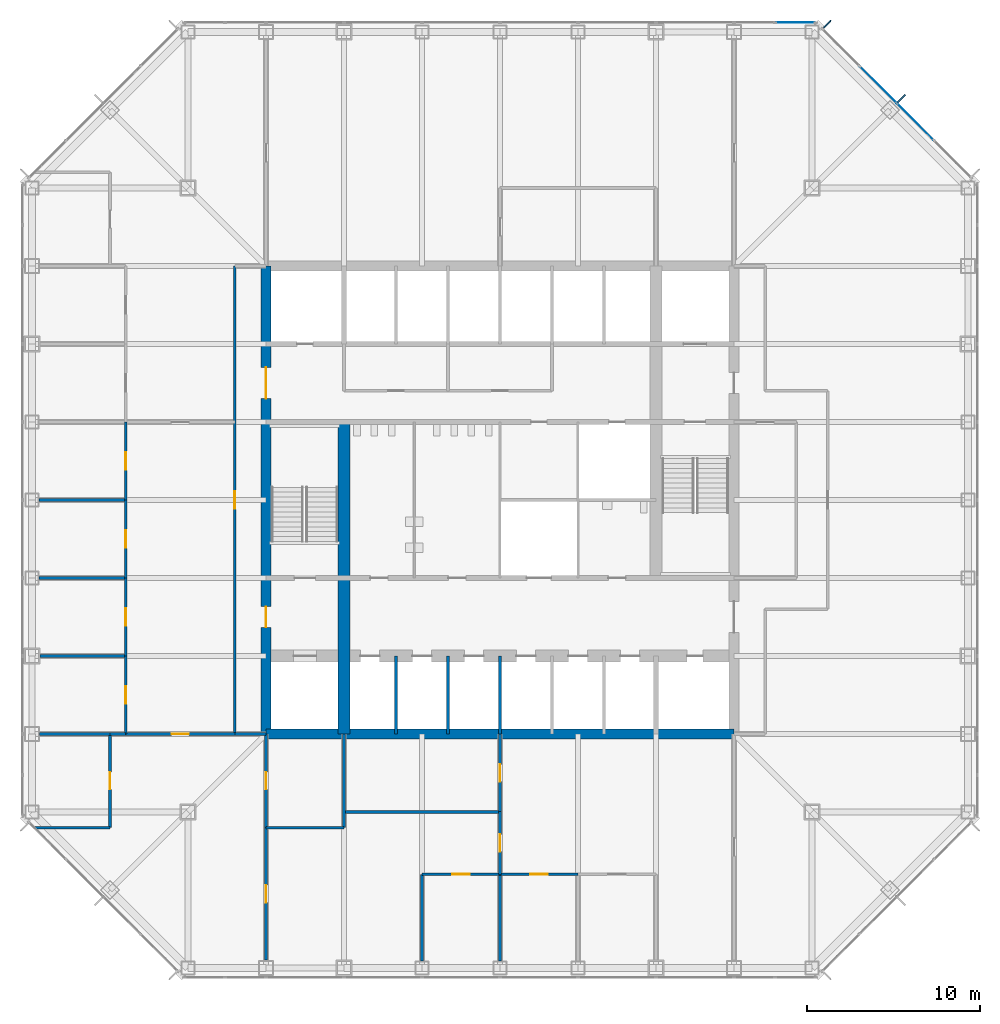
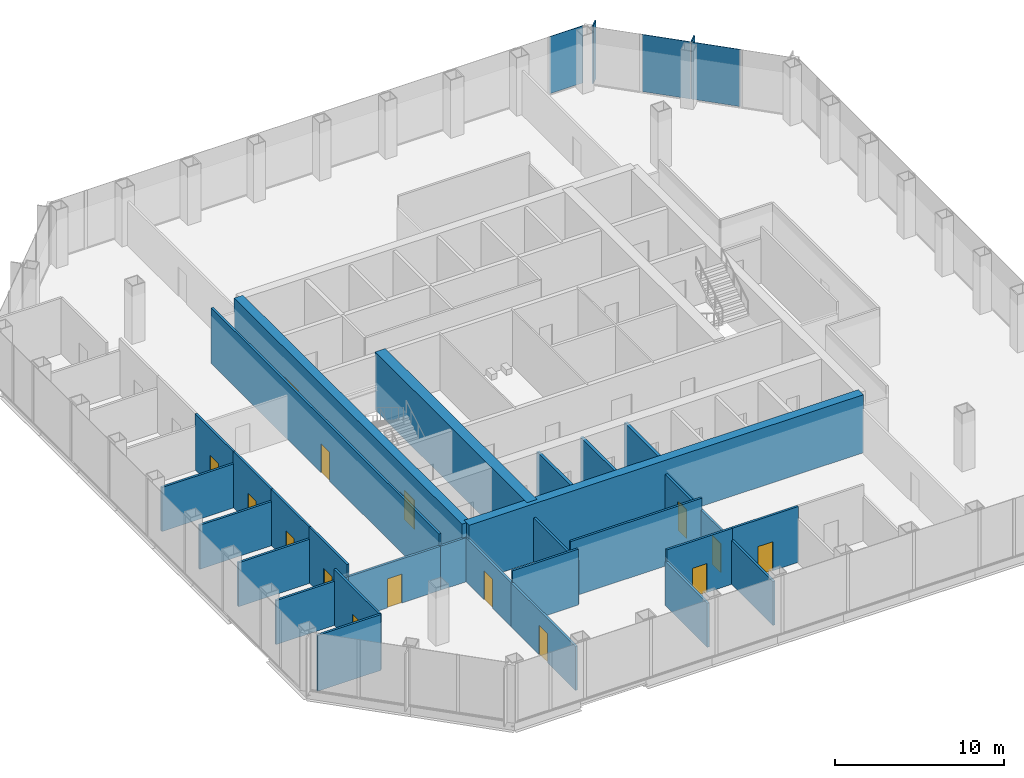
# One storey, part 8 of 13: 31 walls, 15 doors, 5 plates, 15 openings, 2 elements without a shape of their own.
"""IFC4 building model written with IfcOpenShell, lengths in metres."""

from ifc_helpers import new_model, si_unit, direction, frame, frame_2d, origin, origin_2d, place, context, subcontext, project, spatial, rectangle, extrude, material, layer, layer_set, type_object, element, fill, aggregate, save


model = new_model("IFC4")

# Units and contexts
model_context = context("Model", 3, precision=1e-05, world=origin(), true_north=direction((0.0, 1.0)))
body_context = subcontext(model_context, "Body", "Model", "MODEL_VIEW")
ifc_project = project(units=[si_unit("LENGTHUNIT", "METRE"), si_unit("AREAUNIT", "SQUARE_METRE"), si_unit("VOLUMEUNIT", "CUBIC_METRE"), si_unit("PLANEANGLEUNIT", "RADIAN"), si_unit("MASSUNIT", "GRAM", prefix="KILO")], contexts=[model_context])

# Site, building, storey
site_placement = place(None, origin())
site = spatial("IfcSite", under=ifc_project, at=site_placement, CompositionType="ELEMENT")
building_placement = place(site_placement, origin())
building = spatial("IfcBuilding", under=site, at=building_placement, Name="Corais Broadcast Tower", CompositionType="ELEMENT")
storey_placement = place(building_placement, frame((0.0, 0.0, 87.800048828125)))
storey = spatial("IfcBuildingStorey", under=building, at=storey_placement, Name="L19", CompositionType="ELEMENT", Elevation=87.800048828125)

# Curtain wall, plate
ifc_material_1 = material(Name="Aluminium and glass", Category="aluminium")
curtain_wall_type = type_object("IfcCurtainWallType", Name="Unitised fritted curtain wall CW1", PredefinedType="NOTDEFINED", material=ifc_material_1)
curtain_wall_1_placement = place(storey_placement, origin())
curtain_wall_1 = element("IfcCurtainWall", 1, at=curtain_wall_1_placement, inside=storey, type_object=curtain_wall_type, Name="CW1 curtain wall L19 5", PredefinedType="NOTDEFINED")
ifc_material_2 = material(Name="Ceramic-fritted laminated glass", Category="glass")
ifc_layer_1 = layer(ifc_material_2, 0.030029296875)
ifc_layer_set_1 = layer_set([ifc_layer_1], Name="Ceramic-fritted laminated glass")
plate_type_1 = type_object("IfcPlateType", Name="Fritted glass panel CW1", PredefinedType="CURTAIN_PANEL", material=ifc_layer_set_1)
plate_1_placement = place(storey_placement, frame((50.9658203125, 48.81201171875, 0.06494140625), z_axis=(0.0, 0.0, 1.0), x_axis=(0.707106781187, -0.707106781187, 0.0)))
plate_1 = element("IfcPlate", 2, at=plate_1_placement, type_object=plate_type_1, Name="CW1 panel 3", PredefinedType="CURTAIN_PANEL", context=body_context, shape_type="SweptSolid", body=[
    extrude(rectangle(XDim=2.98095703125, YDim=0.030029296875, at=origin_2d()), origin(), (0.0, 0.0, 1.0), 4.135009765625),
])

curtain_wall_2_placement = place(storey_placement, origin())
curtain_wall_2 = element("IfcCurtainWall", 3, at=curtain_wall_2_placement, inside=storey, type_object=curtain_wall_type, Name="CW1 curtain wall L19 4", PredefinedType="NOTDEFINED")
ifc_material_3 = material(Name="Clear laminated glass", Category="glass")
ifc_layer_2 = layer(ifc_material_3, 0.033935546875)
ifc_layer_set_2 = layer_set([ifc_layer_2], Name="Clear laminated glass")
plate_type_2 = type_object("IfcPlateType", Name="Operable glass panel CW1", PredefinedType="CURTAIN_PANEL", material=ifc_layer_set_2)
plate_2_placement = place(storey_placement, frame((44.029541015625, 54.550048828125, 0.06494140625), z_axis=(0.0, 0.0, 1.0), x_axis=(1.0, 0.0, 0.0)))
plate_2 = element("IfcPlate", 4, at=plate_2_placement, type_object=plate_type_2, Name="CW1 operable panel 10", PredefinedType="CURTAIN_PANEL", context=body_context, shape_type="SweptSolid", body=[
    extrude(rectangle(XDim=2.266357421875, YDim=0.033935546875, at=origin_2d()), origin(), (0.0, 0.0, 1.0), 4.135009765625),
])
aggregate(curtain_wall_2, [plate_2])

# Plate
plate_3_placement = place(storey_placement, frame((48.81201171875, 50.9658203125, 0.06494140625), z_axis=(0.0, 0.0, 1.0), x_axis=(0.707106781187, -0.707106781187, 0.0)))
plate_3 = element("IfcPlate", 5, at=plate_3_placement, type_object=plate_type_2, Name="CW1 operable panel 2", PredefinedType="CURTAIN_PANEL", context=body_context, shape_type="SweptSolid", body=[
    extrude(rectangle(XDim=2.98095703125, YDim=0.033935546875, at=origin_2d()), origin(), (0.0, 0.0, 1.0), 4.135009765625),
])

aggregate(curtain_wall_1, [plate_3, plate_1])

# Plates
ifc_material_4 = material(Name="Granite stone cladding", Category="masonry")
ifc_layer_3 = layer(ifc_material_4, 0.080078125)
ifc_layer_set_3 = layer_set([ifc_layer_3], Name="Granite stone cladding")
plate_type_3 = type_object("IfcPlateType", Name="Stone screen fin 80x600", PredefinedType="USERDEFINED", material=ifc_layer_set_3)
for number, where, z_axis, x_axis, name in (
    (6, (45.885009765625, 54.4541015625, 0.0), (0.0, 0.0, 1.0), (0.707106781187, -0.707106781187, 0.0), "SF1 stone screen fin L19"),
    (7, (50.169677734375, 50.169677734375, 0.0), (0.0, 0.0, 1.0), (0.707106781187, -0.707106781187, 0.0), "SF1 stone screen fin L19"),
):
    element("IfcPlate", number, at=place(storey_placement, frame(where, z_axis=z_axis, x_axis=x_axis)), inside=storey, type_object=plate_type_3, Name=name, ObjectType="STONE SCREEN FIN", PredefinedType="USERDEFINED", context=body_context, shape_type="SweptSolid", body=[
        extrude(rectangle(XDim=0.080078125, YDim=0.60009765625, at=origin_2d()), origin(), (0.0, 0.0, 1.0), 4.199951171875),
    ])

# Walls
ifc_material_5 = material(Name="Concrete C50/60", Category="concrete")
ifc_layer_4 = layer(ifc_material_5, 0.699951171875)
ifc_layer_set_4 = layer_set([ifc_layer_4], Name="Concrete C50/60")
wall_type_1 = type_object("IfcWallType", Name="Core spine wall 700", PredefinedType="SHEAR", material=ifc_layer_set_4)
wall_1_placement = place(storey_placement, frame((18.0, 13.5, 0.0), z_axis=(0.0, 0.0, 1.0), x_axis=(0.0, 1.0, 0.0)))
element("IfcWall", 8, at=wall_1_placement, inside=storey, type_object=wall_type_1, Name="CR700 core wall X18A L19", PredefinedType="SHEAR", context=body_context, shape_type="SweptSolid", body=[
    extrude(rectangle(XDim=18.0, YDim=0.699951171875, at=frame_2d((9.0, 0.0))), origin(), (0.0, 0.0, 1.0), 4.199951171875),
])
ifc_material_6 = material(Name="Concrete C50/60", Category="concrete")
ifc_layer_5 = layer(ifc_material_6, 0.60009765625)
ifc_layer_set_5 = layer_set([ifc_layer_5], Name="Concrete C50/60")
wall_type_2 = type_object("IfcWallType", Name="Core wall 600", PredefinedType="SHEAR", material=ifc_layer_set_5)
wall_2_placement = place(storey_placement, frame((13.5, 13.5, 0.0), z_axis=(0.0, 0.0, 1.0), x_axis=(1.0, 0.0, 0.0)))
element("IfcWall", 9, at=wall_2_placement, inside=storey, type_object=wall_type_2, Name="CR600 core wall S L19", PredefinedType="SHEAR", context=body_context, shape_type="SweptSolid", body=[
    extrude(rectangle(XDim=27.0, YDim=0.60009765625, at=frame_2d((13.5, 0.0))), origin(), (0.0, 0.0, 1.0), 4.199951171875),
])

# Wall, openings, doors
wall_3_placement = place(storey_placement, frame((13.5, 40.5, 0.0), z_axis=(0.0, 0.0, 1.0), x_axis=(0.0, -1.0, 0.0)))
wall_3 = element("IfcWall", 10, at=wall_3_placement, inside=storey, type_object=wall_type_2, Name="CR600 core wall W L19", PredefinedType="SHEAR", context=body_context, shape_type="SweptSolid", body=[
    extrude(rectangle(XDim=27.0, YDim=0.60009765625, at=frame_2d((13.5, 0.0))), origin(), (0.0, 0.0, 1.0), 4.199951171875),
])
opening_1_placement = place(wall_3_placement, frame((19.64990234375, 0.0, 0.0)))
opening_1 = element("IfcOpeningElement", 11, at=opening_1_placement, cuts=wall_3, Name="Opening FD1", PredefinedType="OPENING", context=body_context, shape_type="SweptSolid", body=[
    extrude(rectangle(XDim=1.199951171875, YDim=2.10009765625, at=frame_2d((0.60009765625, 1.050048828125))), frame((0.0, 0.31005859375, 0.0), z_axis=(0.0, -1.0, 0.0), x_axis=(1.0, 0.0, 0.0)), (0.0, 0.0, 1.0), 0.6201171875),
])
opening_2_placement = place(wall_3_placement, frame((5.85009765625, 0.0, 0.0)))
opening_2 = element("IfcOpeningElement", 12, at=opening_2_placement, cuts=wall_3, Name="Opening FD2", PredefinedType="OPENING", context=body_context, shape_type="SweptSolid", body=[
    extrude(rectangle(XDim=1.800048828125, YDim=2.10009765625, at=frame_2d((0.89990234375, 1.050048828125))), frame((0.0, 0.31005859375, 0.0), z_axis=(0.0, -1.0, 0.0), x_axis=(1.0, 0.0, 0.0)), (0.0, 0.0, 1.0), 0.6201171875),
])
ifc_material_7 = material(Name="Steel fire door", Category="steel")
door_type_1 = type_object("IfcDoorType", Name="Fire door 1200x2100", OperationType="SINGLE_SWING_LEFT", PredefinedType="DOOR", material=ifc_material_7)
door_1_placement = place(opening_1_placement, origin())
door_1 = element("IfcDoor", 13, at=door_1_placement, inside=storey, type_object=door_type_1, Name="FD1 fire lobby A door L19", OperationType="SINGLE_SWING_RIGHT", OverallHeight=2.10009765625, OverallWidth=1.199951171875, PredefinedType="DOOR", context=body_context, shape_type="SweptSolid", body=[
    extrude(rectangle(XDim=1.199951171875, YDim=2.10009765625, at=frame_2d((0.60009765625, 1.050048828125))), frame((0.0, 0.02490234375, 0.0), z_axis=(0.0, -1.0, 0.0), x_axis=(1.0, 0.0, 0.0)), (0.0, 0.0, 1.0), 0.050048828125),
])
fill(opening_1, door_1)
ifc_material_8 = material(Name="Steel fire door", Category="steel")
door_type_2 = type_object("IfcDoorType", Name="Fire door pair 1800x2100", OperationType="DOUBLE_DOOR_SINGLE_SWING", PredefinedType="DOOR", material=ifc_material_8)
door_2_placement = place(opening_2_placement, origin())
door_2 = element("IfcDoor", 14, at=door_2_placement, inside=storey, type_object=door_type_2, Name="FD2 lift lobby door L19", OperationType="SINGLE_SWING_LEFT", OverallHeight=2.10009765625, OverallWidth=1.800048828125, PredefinedType="DOOR", context=body_context, shape_type="SweptSolid", body=[
    extrude(rectangle(XDim=1.800048828125, YDim=2.10009765625, at=frame_2d((0.89990234375, 1.050048828125))), frame((0.0, 0.02490234375, 0.0), z_axis=(0.0, -1.0, 0.0), x_axis=(1.0, 0.0, 0.0)), (0.0, 0.0, 1.0), 0.050048828125),
])
fill(opening_2, door_2)

# Wall, opening, door
ifc_material_9 = material(Name="Gypsum board on steel studs", Category="steel")
ifc_layer_6 = layer(ifc_material_9, 0.14990234375)
ifc_layer_set_6 = layer_set([ifc_layer_6], Name="Gypsum board on steel studs")
wall_type_3 = type_object("IfcWallType", Name="Partition 150", PredefinedType="PARTITIONING", material=ifc_layer_set_6)
wall_4_placement = place(storey_placement, frame((11.699951171875, 40.5, 0.0), z_axis=(0.0, 0.0, 1.0), x_axis=(0.0, -1.0, 0.0)))
wall_4 = element("IfcWall", 15, at=wall_4_placement, inside=storey, type_object=wall_type_3, Name="IW3 corridor wall L19", PredefinedType="PARTITIONING", context=body_context, shape_type="SweptSolid", body=[
    extrude(rectangle(XDim=27.0, YDim=0.14990234375, at=frame_2d((13.5, 0.0))), origin(), (0.0, 0.0, 1.0), 4.0400390625),
])
opening_3_placement = place(wall_4_placement, frame((13.0, 0.0, 0.0)))
opening_3 = element("IfcOpeningElement", 16, at=opening_3_placement, cuts=wall_4, Name="Opening D1", PredefinedType="OPENING", context=body_context, shape_type="SweptSolid", body=[
    extrude(rectangle(XDim=1.0, YDim=2.10009765625, at=frame_2d((0.5, 1.050048828125))), frame((0.0, 0.0849609375, 0.0), z_axis=(0.0, -1.0, 0.0), x_axis=(1.0, 0.0, 0.0)), (0.0, 0.0, 1.0), 0.169921875),
])
ifc_material_10 = material(Name="Timber door", Category="wood")
door_type_3 = type_object("IfcDoorType", Name="Single door 1000x2100", OperationType="SINGLE_SWING_LEFT", PredefinedType="DOOR", material=ifc_material_10)
door_3_placement = place(opening_3_placement, origin())
door_3 = element("IfcDoor", 17, at=door_3_placement, inside=storey, type_object=door_type_3, Name="D1 workplace door L19", OperationType="SINGLE_SWING_LEFT", OverallHeight=2.10009765625, OverallWidth=1.0, PredefinedType="DOOR", context=body_context, shape_type="SweptSolid", body=[
    extrude(rectangle(XDim=1.0, YDim=2.10009765625, at=frame_2d((0.5, 1.050048828125))), frame((0.0, 0.02490234375, 0.0), z_axis=(0.0, -1.0, 0.0), x_axis=(1.0, 0.0, 0.0)), (0.0, 0.0, 1.0), 0.050048828125),
])
fill(opening_3, door_3)

# Walls
wall_5_placement = place(storey_placement, frame((11.699951171875, 13.5, 0.0), z_axis=(0.0, 0.0, 1.0), x_axis=(1.0, 0.0, 0.0)))
element("IfcWall", 18, at=wall_5_placement, inside=storey, type_object=wall_type_3, Name="IW3 corridor wall L19", PredefinedType="PARTITIONING", context=body_context, shape_type="SweptSolid", body=[
    extrude(rectangle(XDim=1.800048828125, YDim=0.14990234375, at=frame_2d((0.89990234375, 0.0))), origin(), (0.0, 0.0, 1.0), 3.18896484375),
])
wall_6_placement = place(storey_placement, frame((0.16455078125, 8.10009765625, 0.0), z_axis=(0.0, 0.0, 1.0), x_axis=(1.0, 0.0, 0.0)))
element("IfcWall", 19, at=wall_6_placement, inside=storey, type_object=wall_type_3, Name="IW3 partition L19", PredefinedType="PARTITIONING", context=body_context, shape_type="SweptSolid", body=[
    extrude(rectangle(XDim=4.33544921875, YDim=0.14990234375, at=frame_2d((2.167724609375, 0.0))), origin(), (0.0, 0.0, 1.0), 4.0400390625),
])

# Wall, opening, door
wall_7_placement = place(storey_placement, frame((4.5, 8.10009765625, 0.0), z_axis=(0.0, 0.0, 1.0), x_axis=(0.0, 1.0, 0.0)))
wall_7 = element("IfcWall", 20, at=wall_7_placement, inside=storey, type_object=wall_type_3, Name="IW3 partition L19", PredefinedType="PARTITIONING", context=body_context, shape_type="SweptSolid", body=[
    extrude(rectangle(XDim=5.39990234375, YDim=0.14990234375, at=frame_2d((2.699951171875, 0.0))), origin(), (0.0, 0.0, 1.0), 4.0400390625),
])
opening_4_placement = place(wall_7_placement, frame((2.199951171875, 0.0, 0.0)))
opening_4 = element("IfcOpeningElement", 21, at=opening_4_placement, cuts=wall_7, Name="Opening D1", PredefinedType="OPENING", context=body_context, shape_type="SweptSolid", body=[
    extrude(rectangle(XDim=1.0, YDim=2.10009765625, at=frame_2d((0.5, 1.050048828125))), frame((0.0, 0.0849609375, 0.0), z_axis=(0.0, -1.0, 0.0), x_axis=(1.0, 0.0, 0.0)), (0.0, 0.0, 1.0), 0.169921875),
])
door_4_placement = place(opening_4_placement, origin())
door_4 = element("IfcDoor", 22, at=door_4_placement, inside=storey, type_object=door_type_3, Name="D1 Office door", OperationType="SINGLE_SWING_LEFT", OverallHeight=2.10009765625, OverallWidth=1.0, PredefinedType="DOOR", context=body_context, shape_type="SweptSolid", body=[
    extrude(rectangle(XDim=1.0, YDim=2.10009765625, at=frame_2d((0.5, 1.050048828125))), frame((0.0, 0.02490234375, 0.0), z_axis=(0.0, -1.0, 0.0), x_axis=(1.0, 0.0, 0.0)), (0.0, 0.0, 1.0), 0.050048828125),
])
fill(opening_4, door_4)

# Walls
wall_8_placement = place(storey_placement, frame((4.5, 13.5, 0.0), z_axis=(0.0, 0.0, 1.0), x_axis=(-1.0, 0.0, 0.0)))
element("IfcWall", 23, at=wall_8_placement, inside=storey, type_object=wall_type_3, Name="IW3 partition L19", PredefinedType="PARTITIONING", context=body_context, shape_type="SweptSolid", body=[
    extrude(rectangle(XDim=4.06494140625, YDim=0.14990234375, at=frame_2d((2.032470703125, 0.0))), origin(), (0.0, 0.0, 1.0), 3.18896484375),
])
wall_9_placement = place(storey_placement, frame((4.5, 13.5, 0.0), z_axis=(0.0, 0.0, 1.0), x_axis=(1.0, 0.0, 0.0)))
element("IfcWall", 24, at=wall_9_placement, inside=storey, type_object=wall_type_3, Name="IW3 partition L19", PredefinedType="PARTITIONING", context=body_context, shape_type="SweptSolid", body=[
    extrude(rectangle(XDim=0.89990234375, YDim=0.14990234375, at=frame_2d((0.449951171875, 0.0))), origin(), (0.0, 0.0, 1.0), 3.18896484375),
])

# Wall, opening, door
wall_10_placement = place(storey_placement, frame((5.39990234375, 13.5, 0.0), z_axis=(0.0, 0.0, 1.0), x_axis=(0.0, 1.0, 0.0)))
wall_10 = element("IfcWall", 25, at=wall_10_placement, inside=storey, type_object=wall_type_3, Name="IW3 partition L19", PredefinedType="PARTITIONING", context=body_context, shape_type="SweptSolid", body=[
    extrude(rectangle(XDim=4.5, YDim=0.14990234375, at=frame_2d((2.25, 0.0))), origin(), (0.0, 0.0, 1.0), 4.0400390625),
])
opening_5_placement = place(wall_10_placement, frame((1.75, 0.0, 0.0)))
opening_5 = element("IfcOpeningElement", 26, at=opening_5_placement, cuts=wall_10, Name="Opening D1", PredefinedType="OPENING", context=body_context, shape_type="SweptSolid", body=[
    extrude(rectangle(XDim=1.0, YDim=2.10009765625, at=frame_2d((0.5, 1.050048828125))), frame((0.0, 0.0849609375, 0.0), z_axis=(0.0, -1.0, 0.0), x_axis=(1.0, 0.0, 0.0)), (0.0, 0.0, 1.0), 0.169921875),
])
door_5_placement = place(opening_5_placement, origin())
door_5 = element("IfcDoor", 27, at=door_5_placement, inside=storey, type_object=door_type_3, Name="D1 Office door", OperationType="SINGLE_SWING_LEFT", OverallHeight=2.10009765625, OverallWidth=1.0, PredefinedType="DOOR", context=body_context, shape_type="SweptSolid", body=[
    extrude(rectangle(XDim=1.0, YDim=2.10009765625, at=frame_2d((0.5, 1.050048828125))), frame((0.0, 0.02490234375, 0.0), z_axis=(0.0, -1.0, 0.0), x_axis=(1.0, 0.0, 0.0)), (0.0, 0.0, 1.0), 0.050048828125),
])
fill(opening_5, door_5)

# Wall
wall_11_placement = place(storey_placement, frame((5.39990234375, 18.0, 0.0), z_axis=(0.0, 0.0, 1.0), x_axis=(-1.0, 0.0, 0.0)))
element("IfcWall", 28, at=wall_11_placement, inside=storey, type_object=wall_type_3, Name="IW3 partition L19", PredefinedType="PARTITIONING", context=body_context, shape_type="SweptSolid", body=[
    extrude(rectangle(XDim=4.93994140625, YDim=0.14990234375, at=frame_2d((2.469970703125, 0.0))), origin(), (0.0, 0.0, 1.0), 3.18896484375),
])

# Wall, opening, door
wall_12_placement = place(storey_placement, frame((5.39990234375, 18.0, 0.0), z_axis=(0.0, 0.0, 1.0), x_axis=(0.0, 1.0, 0.0)))
wall_12 = element("IfcWall", 29, at=wall_12_placement, inside=storey, type_object=wall_type_3, Name="IW3 partition L19", PredefinedType="PARTITIONING", context=body_context, shape_type="SweptSolid", body=[
    extrude(rectangle(XDim=4.5, YDim=0.14990234375, at=frame_2d((2.25, 0.0))), origin(), (0.0, 0.0, 1.0), 4.0400390625),
])
opening_6_placement = place(wall_12_placement, frame((1.75, 0.0, 0.0)))
opening_6 = element("IfcOpeningElement", 30, at=opening_6_placement, cuts=wall_12, Name="Opening D1", PredefinedType="OPENING", context=body_context, shape_type="SweptSolid", body=[
    extrude(rectangle(XDim=1.0, YDim=2.10009765625, at=frame_2d((0.5, 1.050048828125))), frame((0.0, 0.0849609375, 0.0), z_axis=(0.0, -1.0, 0.0), x_axis=(1.0, 0.0, 0.0)), (0.0, 0.0, 1.0), 0.169921875),
])
door_6_placement = place(opening_6_placement, origin())
door_6 = element("IfcDoor", 31, at=door_6_placement, inside=storey, type_object=door_type_3, Name="D1 Office door", OperationType="SINGLE_SWING_LEFT", OverallHeight=2.10009765625, OverallWidth=1.0, PredefinedType="DOOR", context=body_context, shape_type="SweptSolid", body=[
    extrude(rectangle(XDim=1.0, YDim=2.10009765625, at=frame_2d((0.5, 1.050048828125))), frame((0.0, 0.02490234375, 0.0), z_axis=(0.0, -1.0, 0.0), x_axis=(1.0, 0.0, 0.0)), (0.0, 0.0, 1.0), 0.050048828125),
])
fill(opening_6, door_6)

# Wall
wall_13_placement = place(storey_placement, frame((5.39990234375, 22.5, 0.0), z_axis=(0.0, 0.0, 1.0), x_axis=(-1.0, 0.0, 0.0)))
element("IfcWall", 32, at=wall_13_placement, inside=storey, type_object=wall_type_3, Name="IW3 partition L19", PredefinedType="PARTITIONING", context=body_context, shape_type="SweptSolid", body=[
    extrude(rectangle(XDim=4.989990234375, YDim=0.14990234375, at=frame_2d((2.4951171875, 0.0))), origin(), (0.0, 0.0, 1.0), 3.18896484375),
])

# Wall, opening, door
wall_14_placement = place(storey_placement, frame((5.39990234375, 22.5, 0.0), z_axis=(0.0, 0.0, 1.0), x_axis=(0.0, 1.0, 0.0)))
wall_14 = element("IfcWall", 33, at=wall_14_placement, inside=storey, type_object=wall_type_3, Name="IW3 partition L19", PredefinedType="PARTITIONING", context=body_context, shape_type="SweptSolid", body=[
    extrude(rectangle(XDim=4.5, YDim=0.14990234375, at=frame_2d((2.25, 0.0))), origin(), (0.0, 0.0, 1.0), 4.0400390625),
])
opening_7_placement = place(wall_14_placement, frame((1.75, 0.0, 0.0)))
opening_7 = element("IfcOpeningElement", 34, at=opening_7_placement, cuts=wall_14, Name="Opening D1", PredefinedType="OPENING", context=body_context, shape_type="SweptSolid", body=[
    extrude(rectangle(XDim=1.0, YDim=2.10009765625, at=frame_2d((0.5, 1.050048828125))), frame((0.0, 0.0849609375, 0.0), z_axis=(0.0, -1.0, 0.0), x_axis=(1.0, 0.0, 0.0)), (0.0, 0.0, 1.0), 0.169921875),
])
door_7_placement = place(opening_7_placement, origin())
door_7 = element("IfcDoor", 35, at=door_7_placement, inside=storey, type_object=door_type_3, Name="D1 Office door", OperationType="SINGLE_SWING_LEFT", OverallHeight=2.10009765625, OverallWidth=1.0, PredefinedType="DOOR", context=body_context, shape_type="SweptSolid", body=[
    extrude(rectangle(XDim=1.0, YDim=2.10009765625, at=frame_2d((0.5, 1.050048828125))), frame((0.0, 0.02490234375, 0.0), z_axis=(0.0, -1.0, 0.0), x_axis=(1.0, 0.0, 0.0)), (0.0, 0.0, 1.0), 0.050048828125),
])
fill(opening_7, door_7)

# Wall
wall_15_placement = place(storey_placement, frame((5.39990234375, 27.0, 0.0), z_axis=(0.0, 0.0, 1.0), x_axis=(-1.0, 0.0, 0.0)))
element("IfcWall", 36, at=wall_15_placement, inside=storey, type_object=wall_type_3, Name="IW3 partition L19", PredefinedType="PARTITIONING", context=body_context, shape_type="SweptSolid", body=[
    extrude(rectangle(XDim=4.989990234375, YDim=0.14990234375, at=frame_2d((2.4951171875, 0.0))), origin(), (0.0, 0.0, 1.0), 3.18896484375),
])

# Wall, opening, door
wall_16_placement = place(storey_placement, frame((5.39990234375, 27.0, 0.0), z_axis=(0.0, 0.0, 1.0), x_axis=(0.0, 1.0, 0.0)))
wall_16 = element("IfcWall", 37, at=wall_16_placement, inside=storey, type_object=wall_type_3, Name="IW3 partition L19", PredefinedType="PARTITIONING", context=body_context, shape_type="SweptSolid", body=[
    extrude(rectangle(XDim=4.5, YDim=0.14990234375, at=frame_2d((2.25, 0.0))), origin(), (0.0, 0.0, 1.0), 4.0400390625),
])
opening_8_placement = place(wall_16_placement, frame((1.75, 0.0, 0.0)))
opening_8 = element("IfcOpeningElement", 38, at=opening_8_placement, cuts=wall_16, Name="Opening D1", PredefinedType="OPENING", context=body_context, shape_type="SweptSolid", body=[
    extrude(rectangle(XDim=1.0, YDim=2.10009765625, at=frame_2d((0.5, 1.050048828125))), frame((0.0, 0.0849609375, 0.0), z_axis=(0.0, -1.0, 0.0), x_axis=(1.0, 0.0, 0.0)), (0.0, 0.0, 1.0), 0.169921875),
])
door_8_placement = place(opening_8_placement, origin())
door_8 = element("IfcDoor", 39, at=door_8_placement, inside=storey, type_object=door_type_3, Name="D1 Office door", OperationType="SINGLE_SWING_LEFT", OverallHeight=2.10009765625, OverallWidth=1.0, PredefinedType="DOOR", context=body_context, shape_type="SweptSolid", body=[
    extrude(rectangle(XDim=1.0, YDim=2.10009765625, at=frame_2d((0.5, 1.050048828125))), frame((0.0, 0.02490234375, 0.0), z_axis=(0.0, -1.0, 0.0), x_axis=(1.0, 0.0, 0.0)), (0.0, 0.0, 1.0), 0.050048828125),
])
fill(opening_8, door_8)

# Wall
wall_17_placement = place(storey_placement, frame((27.0, 0.409912109375, 0.0), z_axis=(0.0, 0.0, 1.0), x_axis=(0.0, 1.0, 0.0)))
element("IfcWall", 40, at=wall_17_placement, inside=storey, type_object=wall_type_3, Name="IW3 partition L19", PredefinedType="PARTITIONING", context=body_context, shape_type="SweptSolid", body=[
    extrude(rectangle(XDim=4.989990234375, YDim=0.14990234375, at=frame_2d((2.4951171875, 0.0))), origin(), (0.0, 0.0, 1.0), 3.18896484375),
])

# Wall, opening, door
wall_18_placement = place(storey_placement, frame((27.0, 5.39990234375, 0.0), z_axis=(0.0, 0.0, 1.0), x_axis=(-1.0, 0.0, 0.0)))
wall_18 = element("IfcWall", 41, at=wall_18_placement, inside=storey, type_object=wall_type_3, Name="IW3 partition L19", PredefinedType="PARTITIONING", context=body_context, shape_type="SweptSolid", body=[
    extrude(rectangle(XDim=4.5, YDim=0.14990234375, at=frame_2d((2.25, 0.0))), origin(), (0.0, 0.0, 1.0), 4.0400390625),
])
opening_9_placement = place(wall_18_placement, frame((1.75, 0.0, 0.0)))
opening_9 = element("IfcOpeningElement", 42, at=opening_9_placement, cuts=wall_18, Name="Opening D1", PredefinedType="OPENING", context=body_context, shape_type="SweptSolid", body=[
    extrude(rectangle(XDim=1.0, YDim=2.10009765625, at=frame_2d((0.5, 1.050048828125))), frame((0.0, 0.0849609375, 0.0), z_axis=(0.0, -1.0, 0.0), x_axis=(1.0, 0.0, 0.0)), (0.0, 0.0, 1.0), 0.169921875),
])
door_9_placement = place(opening_9_placement, origin())
door_9 = element("IfcDoor", 43, at=door_9_placement, inside=storey, type_object=door_type_3, Name="D1 Interview room door", OperationType="SINGLE_SWING_LEFT", OverallHeight=2.10009765625, OverallWidth=1.0, PredefinedType="DOOR", context=body_context, shape_type="SweptSolid", body=[
    extrude(rectangle(XDim=1.0, YDim=2.10009765625, at=frame_2d((0.5, 1.050048828125))), frame((0.0, 0.02490234375, 0.0), z_axis=(0.0, -1.0, 0.0), x_axis=(1.0, 0.0, 0.0)), (0.0, 0.0, 1.0), 0.050048828125),
])
fill(opening_9, door_9)

# Wall
wall_19_placement = place(storey_placement, frame((22.5, 5.39990234375, 0.0), z_axis=(0.0, 0.0, 1.0), x_axis=(0.0, -1.0, 0.0)))
element("IfcWall", 44, at=wall_19_placement, inside=storey, type_object=wall_type_3, Name="IW3 partition L19", PredefinedType="PARTITIONING", context=body_context, shape_type="SweptSolid", body=[
    extrude(rectangle(XDim=4.989990234375, YDim=0.14990234375, at=frame_2d((2.4951171875, 0.0))), origin(), (0.0, 0.0, 1.0), 3.18896484375),
])

# Wall, opening, door
wall_20_placement = place(storey_placement, frame((31.5, 5.39990234375, 0.0), z_axis=(0.0, 0.0, 1.0), x_axis=(-1.0, 0.0, 0.0)))
wall_20 = element("IfcWall", 45, at=wall_20_placement, inside=storey, type_object=wall_type_3, Name="IW3 partition L19", PredefinedType="PARTITIONING", context=body_context, shape_type="SweptSolid", body=[
    extrude(rectangle(XDim=4.5, YDim=0.14990234375, at=frame_2d((2.25, 0.0))), origin(), (0.0, 0.0, 1.0), 4.0400390625),
])
opening_10_placement = place(wall_20_placement, frame((1.75, 0.0, 0.0)))
opening_10 = element("IfcOpeningElement", 46, at=opening_10_placement, cuts=wall_20, Name="Opening D1", PredefinedType="OPENING", context=body_context, shape_type="SweptSolid", body=[
    extrude(rectangle(XDim=1.0, YDim=2.10009765625, at=frame_2d((0.5, 1.050048828125))), frame((0.0, 0.0849609375, 0.0), z_axis=(0.0, -1.0, 0.0), x_axis=(1.0, 0.0, 0.0)), (0.0, 0.0, 1.0), 0.169921875),
])
door_10_placement = place(opening_10_placement, origin())
door_10 = element("IfcDoor", 47, at=door_10_placement, inside=storey, type_object=door_type_3, Name="D1 Interview room door", OperationType="SINGLE_SWING_LEFT", OverallHeight=2.10009765625, OverallWidth=1.0, PredefinedType="DOOR", context=body_context, shape_type="SweptSolid", body=[
    extrude(rectangle(XDim=1.0, YDim=2.10009765625, at=frame_2d((0.5, 1.050048828125))), frame((0.0, 0.02490234375, 0.0), z_axis=(0.0, -1.0, 0.0), x_axis=(1.0, 0.0, 0.0)), (0.0, 0.0, 1.0), 0.050048828125),
])
fill(opening_10, door_10)

# Walls
wall_21_placement = place(storey_placement, frame((13.5, 8.10009765625, 0.0), z_axis=(0.0, 0.0, 1.0), x_axis=(1.0, 0.0, 0.0)))
element("IfcWall", 48, at=wall_21_placement, inside=storey, type_object=wall_type_3, Name="IW3 partition L19", PredefinedType="PARTITIONING", context=body_context, shape_type="SweptSolid", body=[
    extrude(rectangle(XDim=4.5, YDim=0.14990234375, at=frame_2d((2.25, 0.0))), origin(), (0.0, 0.0, 1.0), 4.0400390625),
])
wall_22_placement = place(storey_placement, frame((18.0, 8.10009765625, 0.0), z_axis=(0.0, 0.0, 1.0), x_axis=(0.0, 1.0, 0.0)))
element("IfcWall", 49, at=wall_22_placement, inside=storey, type_object=wall_type_3, Name="IW3 partition L19", PredefinedType="PARTITIONING", context=body_context, shape_type="SweptSolid", body=[
    extrude(rectangle(XDim=5.39990234375, YDim=0.14990234375, at=frame_2d((2.699951171875, 0.0))), origin(), (0.0, 0.0, 1.0), 3.18896484375),
])

# Wall, opening, door
wall_23_placement = place(storey_placement, frame((13.5, 13.5, 0.0), z_axis=(0.0, 0.0, 1.0), x_axis=(0.0, -1.0, 0.0)))
wall_23 = element("IfcWall", 50, at=wall_23_placement, inside=storey, type_object=wall_type_3, Name="IW3 partition L19", PredefinedType="PARTITIONING", context=body_context, shape_type="SweptSolid", body=[
    extrude(rectangle(XDim=5.39990234375, YDim=0.14990234375, at=frame_2d((2.699951171875, 0.0))), origin(), (0.0, 0.0, 1.0), 3.18896484375),
])
opening_11_placement = place(wall_23_placement, frame((2.199951171875, 0.0, 0.0)))
opening_11 = element("IfcOpeningElement", 51, at=opening_11_placement, cuts=wall_23, Name="Opening D1", PredefinedType="OPENING", context=body_context, shape_type="SweptSolid", body=[
    extrude(rectangle(XDim=1.0, YDim=2.10009765625, at=frame_2d((0.5, 1.050048828125))), frame((0.0, 0.0849609375, 0.0), z_axis=(0.0, -1.0, 0.0), x_axis=(1.0, 0.0, 0.0)), (0.0, 0.0, 1.0), 0.169921875),
])
door_11_placement = place(opening_11_placement, origin())
door_11 = element("IfcDoor", 52, at=door_11_placement, inside=storey, type_object=door_type_3, Name="D1 Meeting room door", OperationType="SINGLE_SWING_LEFT", OverallHeight=2.10009765625, OverallWidth=1.0, PredefinedType="DOOR", context=body_context, shape_type="SweptSolid", body=[
    extrude(rectangle(XDim=1.0, YDim=2.10009765625, at=frame_2d((0.5, 1.050048828125))), frame((0.0, 0.02490234375, 0.0), z_axis=(0.0, -1.0, 0.0), x_axis=(1.0, 0.0, 0.0)), (0.0, 0.0, 1.0), 0.050048828125),
])
fill(opening_11, door_11)

# Wall
wall_24_placement = place(storey_placement, frame((18.0, 9.0, 0.0), z_axis=(0.0, 0.0, 1.0), x_axis=(1.0, 0.0, 0.0)))
element("IfcWall", 53, at=wall_24_placement, inside=storey, type_object=wall_type_3, Name="IW3 partition L19", PredefinedType="PARTITIONING", context=body_context, shape_type="SweptSolid", body=[
    extrude(rectangle(XDim=9.0, YDim=0.14990234375, at=frame_2d((4.5, 0.0))), origin(), (0.0, 0.0, 1.0), 4.0400390625),
])

# Wall, opening, door
wall_25_placement = place(storey_placement, frame((27.0, 9.0, 0.0), z_axis=(0.0, 0.0, 1.0), x_axis=(0.0, 1.0, 0.0)))
wall_25 = element("IfcWall", 54, at=wall_25_placement, inside=storey, type_object=wall_type_3, Name="IW3 partition L19", PredefinedType="PARTITIONING", context=body_context, shape_type="SweptSolid", body=[
    extrude(rectangle(XDim=4.5, YDim=0.14990234375, at=frame_2d((2.25, 0.0))), origin(), (0.0, 0.0, 1.0), 3.18896484375),
])
opening_12_placement = place(wall_25_placement, frame((1.75, 0.0, 0.0)))
opening_12 = element("IfcOpeningElement", 55, at=opening_12_placement, cuts=wall_25, Name="Opening D1", PredefinedType="OPENING", context=body_context, shape_type="SweptSolid", body=[
    extrude(rectangle(XDim=1.0, YDim=2.10009765625, at=frame_2d((0.5, 1.050048828125))), frame((0.0, 0.0849609375, 0.0), z_axis=(0.0, -1.0, 0.0), x_axis=(1.0, 0.0, 0.0)), (0.0, 0.0, 1.0), 0.169921875),
])
door_12_placement = place(opening_12_placement, origin())
door_12 = element("IfcDoor", 56, at=door_12_placement, inside=storey, type_object=door_type_3, Name="D1 Legal reading room door", OperationType="SINGLE_SWING_LEFT", OverallHeight=2.10009765625, OverallWidth=1.0, PredefinedType="DOOR", context=body_context, shape_type="SweptSolid", body=[
    extrude(rectangle(XDim=1.0, YDim=2.10009765625, at=frame_2d((0.5, 1.050048828125))), frame((0.0, 0.02490234375, 0.0), z_axis=(0.0, -1.0, 0.0), x_axis=(1.0, 0.0, 0.0)), (0.0, 0.0, 1.0), 0.050048828125),
])
fill(opening_12, door_12)

wall_26_placement = place(storey_placement, frame((27.0, 5.39990234375, 0.0), z_axis=(0.0, 0.0, 1.0), x_axis=(0.0, 1.0, 0.0)))
wall_26 = element("IfcWall", 57, at=wall_26_placement, inside=storey, type_object=wall_type_3, Name="IW3 partition L19", PredefinedType="PARTITIONING", context=body_context, shape_type="SweptSolid", body=[
    extrude(rectangle(XDim=3.6201171875, YDim=0.14990234375, at=frame_2d((1.81005859375, 0.0))), origin(), (0.0, 0.0, 1.0), 3.18896484375),
])
opening_13_placement = place(wall_26_placement, frame((1.31005859375, 0.0, 0.0)))
opening_13 = element("IfcOpeningElement", 58, at=opening_13_placement, cuts=wall_26, Name="Opening D1", PredefinedType="OPENING", context=body_context, shape_type="SweptSolid", body=[
    extrude(rectangle(XDim=1.0, YDim=2.10009765625, at=frame_2d((0.5, 1.050048828125))), frame((0.0, 0.0849609375, 0.0), z_axis=(0.0, -1.0, 0.0), x_axis=(1.0, 0.0, 0.0)), (0.0, 0.0, 1.0), 0.169921875),
])
door_13_placement = place(opening_13_placement, origin())
door_13 = element("IfcDoor", 59, at=door_13_placement, inside=storey, type_object=door_type_3, Name="D1 team room door L19", OperationType="SINGLE_SWING_LEFT", OverallHeight=2.10009765625, OverallWidth=1.0, PredefinedType="DOOR", context=body_context, shape_type="SweptSolid", body=[
    extrude(rectangle(XDim=1.0, YDim=2.10009765625, at=frame_2d((0.5, 1.050048828125))), frame((0.0, 0.02490234375, 0.0), z_axis=(0.0, -1.0, 0.0), x_axis=(1.0, 0.0, 0.0)), (0.0, 0.0, 1.0), 0.050048828125),
])
fill(opening_13, door_13)

wall_27_placement = place(storey_placement, frame((13.5, 0.445068359375, 0.0), z_axis=(0.0, 0.0, 1.0), x_axis=(0.0, 1.0, 0.0)))
wall_27 = element("IfcWall", 60, at=wall_27_placement, inside=storey, type_object=wall_type_3, Name="IW3 partition L19", PredefinedType="PARTITIONING", context=body_context, shape_type="SweptSolid", body=[
    extrude(rectangle(XDim=7.655029296875, YDim=0.14990234375, at=frame_2d((3.82763671875, 0.0))), origin(), (0.0, 0.0, 1.0), 3.18896484375),
])
opening_14_placement = place(wall_27_placement, frame((3.327392578125, 0.0, 0.0)))
opening_14 = element("IfcOpeningElement", 61, at=opening_14_placement, cuts=wall_27, Name="Opening D1", PredefinedType="OPENING", context=body_context, shape_type="SweptSolid", body=[
    extrude(rectangle(XDim=1.0, YDim=2.10009765625, at=frame_2d((0.5, 1.050048828125))), frame((0.0, 0.0849609375, 0.0), z_axis=(0.0, -1.0, 0.0), x_axis=(1.0, 0.0, 0.0)), (0.0, 0.0, 1.0), 0.169921875),
])
door_14_placement = place(opening_14_placement, origin())
door_14 = element("IfcDoor", 62, at=door_14_placement, inside=storey, type_object=door_type_3, Name="D1 team room door L19", OperationType="SINGLE_SWING_LEFT", OverallHeight=2.10009765625, OverallWidth=1.0, PredefinedType="DOOR", context=body_context, shape_type="SweptSolid", body=[
    extrude(rectangle(XDim=1.0, YDim=2.10009765625, at=frame_2d((0.5, 1.050048828125))), frame((0.0, 0.02490234375, 0.0), z_axis=(0.0, -1.0, 0.0), x_axis=(1.0, 0.0, 0.0)), (0.0, 0.0, 1.0), 0.050048828125),
])
fill(opening_14, door_14)

wall_28_placement = place(storey_placement, frame((11.699951171875, 13.5, 0.0), z_axis=(0.0, 0.0, 1.0), x_axis=(-1.0, 0.0, 0.0)))
wall_28 = element("IfcWall", 63, at=wall_28_placement, inside=storey, type_object=wall_type_3, Name="IW3 partition L19", PredefinedType="PARTITIONING", context=body_context, shape_type="SweptSolid", body=[
    extrude(rectangle(XDim=6.300048828125, YDim=0.14990234375, at=frame_2d((3.14990234375, 0.0))), origin(), (0.0, 0.0, 1.0), 3.18896484375),
])
opening_15_placement = place(wall_28_placement, frame((2.64990234375, 0.0, 0.0)))
opening_15 = element("IfcOpeningElement", 64, at=opening_15_placement, cuts=wall_28, Name="Opening D1", PredefinedType="OPENING", context=body_context, shape_type="SweptSolid", body=[
    extrude(rectangle(XDim=1.0, YDim=2.10009765625, at=frame_2d((0.5, 1.050048828125))), frame((0.0, 0.0849609375, 0.0), z_axis=(0.0, -1.0, 0.0), x_axis=(1.0, 0.0, 0.0)), (0.0, 0.0, 1.0), 0.169921875),
])
door_15_placement = place(opening_15_placement, origin())
door_15 = element("IfcDoor", 65, at=door_15_placement, inside=storey, type_object=door_type_3, Name="D1 team room door L19", OperationType="SINGLE_SWING_LEFT", OverallHeight=2.10009765625, OverallWidth=1.0, PredefinedType="DOOR", context=body_context, shape_type="SweptSolid", body=[
    extrude(rectangle(XDim=1.0, YDim=2.10009765625, at=frame_2d((0.5, 1.050048828125))), frame((0.0, 0.02490234375, 0.0), z_axis=(0.0, -1.0, 0.0), x_axis=(1.0, 0.0, 0.0)), (0.0, 0.0, 1.0), 0.050048828125),
])
fill(opening_15, door_15)

# Walls
ifc_material_11 = material(Name="Concrete blockwork class A, grouted, two-hour", Category="masonry")
ifc_layer_7 = layer(ifc_material_11, 0.199951171875)
ifc_layer_set_7 = layer_set([ifc_layer_7], Name="Concrete blockwork class A, grouted, two-hour")
wall_type_4 = type_object("IfcWallType", Name="Shaft wall 200", PredefinedType="PARTITIONING", material=ifc_layer_set_7)
for number, where, z_axis, x_axis, name in (
    (66, (21.0, 13.5, 0.0), (0.0, 0.0, 1.0), (0.0, 1.0, 0.0), "IW1 shaft wall L19"),
    (67, (24.0, 13.5, 0.0), (0.0, 0.0, 1.0), (0.0, 1.0, 0.0), "IW1 shaft wall L19"),
    (68, (27.0, 13.5, 0.0), (0.0, 0.0, 1.0), (0.0, 1.0, 0.0), "IW1 shaft wall L19"),
):
    element("IfcWall", number, at=place(storey_placement, frame(where, z_axis=z_axis, x_axis=x_axis)), inside=storey, type_object=wall_type_4, Name=name, PredefinedType="PARTITIONING", context=body_context, shape_type="SweptSolid", body=[
        extrude(rectangle(XDim=4.5, YDim=0.199951171875, at=frame_2d((2.25, 0.0))), origin(), (0.0, 0.0, 1.0), 4.0400390625),
    ])

save(model, "model.ifc")
